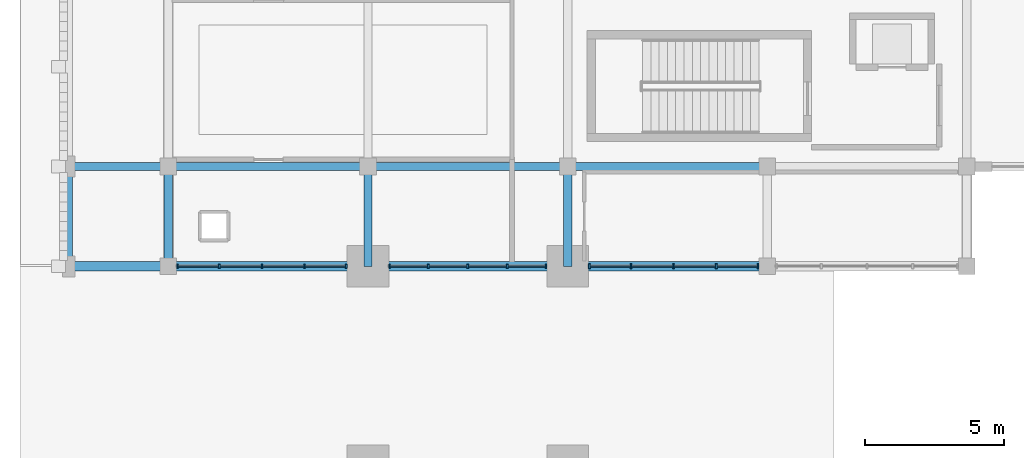
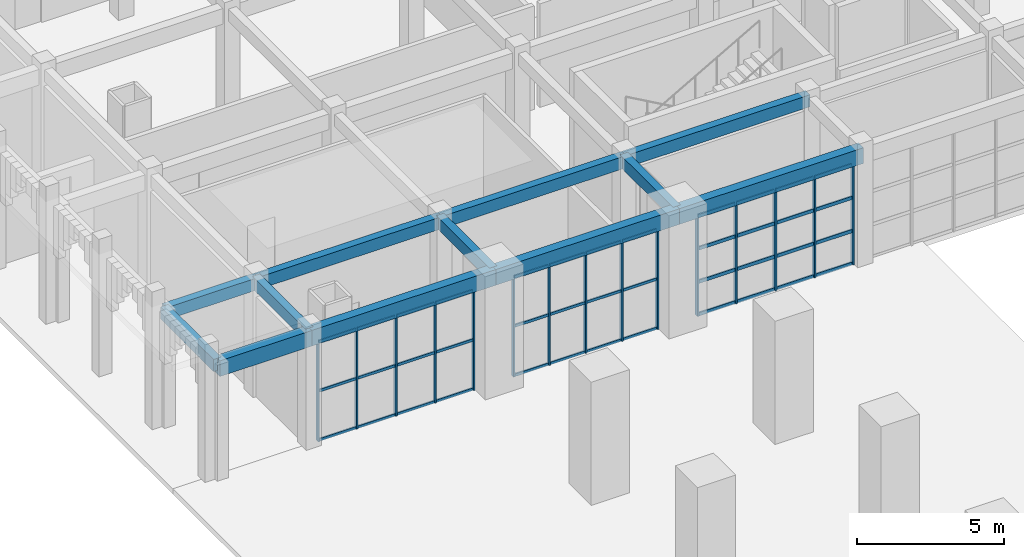
# One storey, part 9 of 72: 55 members, 12 beams, 3 elements without a shape of their own.
"""IFC4 building model written with IfcOpenShell, lengths in metres."""

from ifc_helpers import new_model, si_unit, direction, frame, origin, origin_2d, place, context, subcontext, project, spatial, rectangle, extrude, material, material_profile, profile_set, type_object, element, aggregate, save


model = new_model("IFC4")

# Units and contexts
model_context = context("Model", 3, precision=1e-05, world=origin(), true_north=direction((0.0, 1.0)))
body_context = subcontext(model_context, "Body", "Model", "MODEL_VIEW")
ifc_project = project(units=[si_unit("LENGTHUNIT", "METRE"), si_unit("AREAUNIT", "SQUARE_METRE"), si_unit("VOLUMEUNIT", "CUBIC_METRE"), si_unit("PLANEANGLEUNIT", "RADIAN"), si_unit("MASSUNIT", "GRAM", prefix="KILO")], contexts=[model_context])

# Site, building, storey
site_placement = place(None, origin())
site = spatial("IfcSite", under=ifc_project, at=site_placement, CompositionType="ELEMENT")
building_placement = place(site_placement, origin())
building = spatial("IfcBuilding", under=site, at=building_placement, Name="Nzembalo Square Collegiate School", CompositionType="ELEMENT")
storey_placement = place(building_placement, origin())
storey = spatial("IfcBuildingStorey", under=building, at=storey_placement, Name="L00", CompositionType="ELEMENT", Elevation=0.0)

# Beams
ifc_material_1 = material(Name="Concrete C35/45", Category="concrete")
ifc_material_profile_1 = material_profile(ifc_material_1, rectangle(XDim=0.35009765625, YDim=0.64990234375, at=origin_2d()), Name="RC 350x650")
ifc_profile_set_1 = profile_set([ifc_material_profile_1], Name="Concrete C35/45")
beam_type_1 = type_object("IfcBeamType", Name="B01", PredefinedType="BEAM", material=ifc_profile_set_1)
beam_1_placement = place(storey_placement, frame((4.800048828125, 79.199951171875, 4.465087890625), z_axis=(1.0, 0.0, 0.0), x_axis=(0.0, 1.0, 0.0)))
element("IfcBeam", 1, at=beam_1_placement, inside=storey, type_object=beam_type_1, Name="Beam B01 L00", PredefinedType="BEAM", context=body_context, shape_type="SweptSolid", body=[
    extrude(rectangle(XDim=0.35009765625, YDim=0.64990234375, at=origin_2d()), origin(), (0.0, 0.0, 1.0), 3.599853515625),
])
beam_2_placement = place(storey_placement, frame((8.39990234375, 79.199951171875, 4.465087890625), z_axis=(1.0, 0.0, 0.0), x_axis=(0.0, 1.0, 0.0)))
element("IfcBeam", 2, at=beam_2_placement, inside=storey, type_object=beam_type_1, Name="Beam B01 L00", PredefinedType="BEAM", context=body_context, shape_type="SweptSolid", body=[
    extrude(rectangle(XDim=0.35009765625, YDim=0.64990234375, at=origin_2d()), origin(), (0.0, 0.0, 1.0), 7.2001953125),
])
for number, where, z_axis, x_axis, name in (
    (3, (15.60009765625, 79.199951171875, 4.465087890625), (1.0, 0.0, 0.0), (0.0, 1.0, 0.0), "Beam B01 L00"),
    (4, (22.800048828125, 79.199951171875, 4.465087890625), (1.0, 0.0, 0.0), (0.0, 1.0, 0.0), "Beam B01 L00"),
):
    element("IfcBeam", number, at=place(storey_placement, frame(where, z_axis=z_axis, x_axis=x_axis)), inside=storey, type_object=beam_type_1, Name=name, PredefinedType="BEAM", context=body_context, shape_type="SweptSolid", body=[
        extrude(rectangle(XDim=0.35009765625, YDim=0.64990234375, at=origin_2d()), origin(), (0.0, 0.0, 1.0), 7.199951171875),
    ])
ifc_material_2 = material(Name="Concrete C35/45", Category="concrete")
ifc_material_profile_2 = material_profile(ifc_material_2, rectangle(XDim=0.300048828125, YDim=0.5, at=origin_2d()), Name="RC 300x500")
ifc_profile_set_2 = profile_set([ifc_material_profile_2], Name="Concrete C35/45")
beam_type_2 = type_object("IfcBeamType", Name="B02", PredefinedType="BEAM", material=ifc_profile_set_2)
for number, where, z_axis, x_axis, name in (
    (5, (15.60009765625, 79.199951171875, 4.5400390625), (0.0, 1.0, 0.0), (-1.0, 0.0, 0.0), "Beam B02 L00"),
    (6, (22.800048828125, 79.199951171875, 4.5400390625), (0.0, 1.0, 0.0), (-1.0, 0.0, 0.0), "Beam B02 L00"),
):
    element("IfcBeam", number, at=place(storey_placement, frame(where, z_axis=z_axis, x_axis=x_axis)), inside=storey, type_object=beam_type_2, Name=name, PredefinedType="BEAM", context=body_context, shape_type="SweptSolid", body=[
        extrude(rectangle(XDim=0.300048828125, YDim=0.5, at=origin_2d()), origin(), (0.0, 0.0, 1.0), 3.60009765625),
    ])
ifc_material_3 = material(Name="Concrete C35/45", Category="concrete")
ifc_material_profile_3 = material_profile(ifc_material_3, rectangle(XDim=0.300048828125, YDim=0.5, at=origin_2d()), Name="RC 300x500")
ifc_profile_set_3 = profile_set([ifc_material_profile_3], Name="Concrete C35/45")
beam_type_3 = type_object("IfcBeamType", Name="SP01", PredefinedType="SPANDREL", material=ifc_profile_set_3)
beam_3_placement = place(storey_placement, frame((4.800048828125, 82.800048828125, 4.5400390625), z_axis=(1.0, 0.0, 0.0), x_axis=(0.0, 1.0, 0.0)))
element("IfcBeam", 7, at=beam_3_placement, inside=storey, type_object=beam_type_3, Name="Beam SP01 L00", PredefinedType="SPANDREL", context=body_context, shape_type="SweptSolid", body=[
    extrude(rectangle(XDim=0.300048828125, YDim=0.5, at=origin_2d()), origin(), (0.0, 0.0, 1.0), 3.599853515625),
])
beam_4_placement = place(storey_placement, frame((8.39990234375, 82.800048828125, 4.5400390625), z_axis=(1.0, 0.0, 0.0), x_axis=(0.0, 1.0, 0.0)))
element("IfcBeam", 8, at=beam_4_placement, inside=storey, type_object=beam_type_3, Name="Beam SP01 L00", PredefinedType="SPANDREL", context=body_context, shape_type="SweptSolid", body=[
    extrude(rectangle(XDim=0.300048828125, YDim=0.5, at=origin_2d()), origin(), (0.0, 0.0, 1.0), 7.2001953125),
])
for number, where, z_axis, x_axis, name in (
    (9, (15.60009765625, 82.800048828125, 4.5400390625), (1.0, 0.0, 0.0), (0.0, 1.0, 0.0), "Beam SP01 L00"),
    (10, (22.800048828125, 82.800048828125, 4.5400390625), (1.0, 0.0, 0.0), (0.0, 1.0, 0.0), "Beam SP01 L00"),
):
    element("IfcBeam", number, at=place(storey_placement, frame(where, z_axis=z_axis, x_axis=x_axis)), inside=storey, type_object=beam_type_3, Name=name, PredefinedType="SPANDREL", context=body_context, shape_type="SweptSolid", body=[
        extrude(rectangle(XDim=0.300048828125, YDim=0.5, at=origin_2d()), origin(), (0.0, 0.0, 1.0), 7.199951171875),
    ])
for number, where, z_axis, x_axis, name in (
    (11, (4.800048828125, 79.199951171875, 4.5400390625), (0.0, 1.0, 0.0), (-1.0, 0.0, 0.0), "Beam SP01 L00"),
    (12, (8.39990234375, 79.199951171875, 4.5400390625), (0.0, 1.0, 0.0), (-1.0, 0.0, 0.0), "Beam SP01 L00"),
):
    element("IfcBeam", number, at=place(storey_placement, frame(where, z_axis=z_axis, x_axis=x_axis)), inside=storey, type_object=beam_type_3, Name=name, PredefinedType="SPANDREL", context=body_context, shape_type="SweptSolid", body=[
        extrude(rectangle(XDim=0.300048828125, YDim=0.5, at=origin_2d()), origin(), (0.0, 0.0, 1.0), 3.60009765625),
    ])

# Curtain wall, members
ifc_material_4 = material(Name="Aluminium 6060-T66", Category="aluminium")
curtain_wall_type_1 = type_object("IfcCurtainWallType", Name="CW-05", PredefinedType="USERDEFINED", material=ifc_material_4)
curtain_wall_1_placement = place(storey_placement, origin())
curtain_wall_1 = element("IfcCurtainWall", 13, at=curtain_wall_1_placement, inside=storey, type_object=curtain_wall_type_1, Name="Curtain wall CW-05 cw:L00:020", ObjectType="LANCET", PredefinedType="USERDEFINED")
ifc_material_5 = material(Name="Aluminium 6060-T66", Category="aluminium")
ifc_material_profile_4 = material_profile(ifc_material_5, rectangle(XDim=0.06005859375, YDim=0.179931640625, at=origin_2d()), Name="ALU M60x180")
ifc_profile_set_4 = profile_set([ifc_material_profile_4], Name="Aluminium 6060-T66")
member_type_1 = type_object("IfcMemberType", Name="ML01", PredefinedType="MULLION", material=ifc_profile_set_4)
member_1_placement = place(storey_placement, frame((23.58203125, 79.199951171875, 0.0), z_axis=(0.0, 0.0, 1.0), x_axis=(1.0, 0.0, 0.0)))
member_1 = element("IfcMember", 14, at=member_1_placement, type_object=member_type_1, Name="ML01 mullion 1", PredefinedType="MULLION", context=body_context, shape_type="SweptSolid", body=[
    extrude(rectangle(XDim=0.06005859375, YDim=0.179931640625, at=origin_2d()), origin(), (0.0, 0.0, 1.0), 4.134033203125),
])
member_2_placement = place(storey_placement, frame((25.08837890625, 79.199951171875, 0.0), z_axis=(0.0, 0.0, 1.0), x_axis=(1.0, 0.0, 0.0)))
member_2 = element("IfcMember", 15, at=member_2_placement, type_object=member_type_1, Name="ML01 mullion 2", PredefinedType="MULLION", context=body_context, shape_type="SweptSolid", body=[
    extrude(rectangle(XDim=0.06005859375, YDim=0.179931640625, at=origin_2d()), origin(), (0.0, 0.0, 1.0), 4.134033203125),
])
member_3_placement = place(storey_placement, frame((26.625, 79.199951171875, 0.0), z_axis=(0.0, 0.0, 1.0), x_axis=(1.0, 0.0, 0.0)))
member_3 = element("IfcMember", 16, at=member_3_placement, type_object=member_type_1, Name="ML01 mullion 3", PredefinedType="MULLION", context=body_context, shape_type="SweptSolid", body=[
    extrude(rectangle(XDim=0.06005859375, YDim=0.179931640625, at=origin_2d()), origin(), (0.0, 0.0, 1.0), 4.134033203125),
])
member_4_placement = place(storey_placement, frame((28.16162109375, 79.199951171875, 0.0), z_axis=(0.0, 0.0, 1.0), x_axis=(1.0, 0.0, 0.0)))
member_4 = element("IfcMember", 17, at=member_4_placement, type_object=member_type_1, Name="ML01 mullion 4", PredefinedType="MULLION", context=body_context, shape_type="SweptSolid", body=[
    extrude(rectangle(XDim=0.06005859375, YDim=0.179931640625, at=origin_2d()), origin(), (0.0, 0.0, 1.0), 4.134033203125),
])
member_5_placement = place(storey_placement, frame((29.66796875, 79.199951171875, 0.0), z_axis=(0.0, 0.0, 1.0), x_axis=(1.0, 0.0, 0.0)))
member_5 = element("IfcMember", 18, at=member_5_placement, type_object=member_type_1, Name="ML01 mullion 5", PredefinedType="MULLION", context=body_context, shape_type="SweptSolid", body=[
    extrude(rectangle(XDim=0.06005859375, YDim=0.179931640625, at=origin_2d()), origin(), (0.0, 0.0, 1.0), 4.134033203125),
])

ifc_material_6 = material(Name="Aluminium 6060-T66", Category="aluminium")
curtain_wall_type_2 = type_object("IfcCurtainWallType", Name="CW-03", PredefinedType="USERDEFINED", material=ifc_material_6)
curtain_wall_2_placement = place(storey_placement, origin())
curtain_wall_2 = element("IfcCurtainWall", 19, at=curtain_wall_2_placement, inside=storey, type_object=curtain_wall_type_2, Name="Curtain wall CW-03 cw:L00:018", ObjectType="UNITISED", PredefinedType="USERDEFINED")
ifc_material_7 = material(Name="Aluminium 6060-T66", Category="aluminium")
ifc_material_profile_5 = material_profile(ifc_material_7, rectangle(XDim=0.06005859375, YDim=0.14990234375, at=origin_2d()), Name="ALU M60x150")
ifc_profile_set_5 = profile_set([ifc_material_profile_5], Name="Aluminium 6060-T66")
member_type_2 = type_object("IfcMemberType", Name="ML02", PredefinedType="MULLION", material=ifc_profile_set_5)
member_6_placement = place(storey_placement, frame((8.73193359375, 79.199951171875, 0.0), z_axis=(0.0, 0.0, 1.0), x_axis=(1.0, 0.0, 0.0)))
member_6 = element("IfcMember", 20, at=member_6_placement, type_object=member_type_2, Name="ML02 mullion 1", PredefinedType="MULLION", context=body_context, shape_type="SweptSolid", body=[
    extrude(rectangle(XDim=0.06005859375, YDim=0.14990234375, at=origin_2d()), origin(), (0.0, 0.0, 1.0), 4.134033203125),
])
member_7_placement = place(storey_placement, frame((10.238525390625, 79.199951171875, 0.0), z_axis=(0.0, 0.0, 1.0), x_axis=(1.0, 0.0, 0.0)))
member_7 = element("IfcMember", 21, at=member_7_placement, type_object=member_type_2, Name="ML02 mullion 2", PredefinedType="MULLION", context=body_context, shape_type="SweptSolid", body=[
    extrude(rectangle(XDim=0.06005859375, YDim=0.14990234375, at=origin_2d()), origin(), (0.0, 0.0, 1.0), 4.134033203125),
])
member_8_placement = place(storey_placement, frame((11.77490234375, 79.199951171875, 0.0), z_axis=(0.0, 0.0, 1.0), x_axis=(1.0, 0.0, 0.0)))
member_8 = element("IfcMember", 22, at=member_8_placement, type_object=member_type_2, Name="ML02 mullion 3", PredefinedType="MULLION", context=body_context, shape_type="SweptSolid", body=[
    extrude(rectangle(XDim=0.06005859375, YDim=0.14990234375, at=origin_2d()), origin(), (0.0, 0.0, 1.0), 4.134033203125),
])
member_9_placement = place(storey_placement, frame((13.3115234375, 79.199951171875, 0.0), z_axis=(0.0, 0.0, 1.0), x_axis=(1.0, 0.0, 0.0)))
member_9 = element("IfcMember", 23, at=member_9_placement, type_object=member_type_2, Name="ML02 mullion 4", PredefinedType="MULLION", context=body_context, shape_type="SweptSolid", body=[
    extrude(rectangle(XDim=0.06005859375, YDim=0.14990234375, at=origin_2d()), origin(), (0.0, 0.0, 1.0), 4.134033203125),
])
member_10_placement = place(storey_placement, frame((14.818115234375, 79.199951171875, 0.0), z_axis=(0.0, 0.0, 1.0), x_axis=(1.0, 0.0, 0.0)))
member_10 = element("IfcMember", 24, at=member_10_placement, type_object=member_type_2, Name="ML02 mullion 5", PredefinedType="MULLION", context=body_context, shape_type="SweptSolid", body=[
    extrude(rectangle(XDim=0.06005859375, YDim=0.14990234375, at=origin_2d()), origin(), (0.0, 0.0, 1.0), 4.134033203125),
])

ifc_material_8 = material(Name="Aluminium 6060-T66", Category="aluminium")
curtain_wall_type_3 = type_object("IfcCurtainWallType", Name="CW-04", PredefinedType="USERDEFINED", material=ifc_material_8)
curtain_wall_3_placement = place(storey_placement, origin())
curtain_wall_3 = element("IfcCurtainWall", 25, at=curtain_wall_3_placement, inside=storey, type_object=curtain_wall_type_3, Name="Curtain wall CW-04 cw:L00:019", ObjectType="UNITISED", PredefinedType="USERDEFINED")
member_11_placement = place(storey_placement, frame((16.382080078125, 79.199951171875, 0.0), z_axis=(0.0, 0.0, 1.0), x_axis=(1.0, 0.0, 0.0)))
member_11 = element("IfcMember", 26, at=member_11_placement, type_object=member_type_2, Name="ML02 mullion 1", PredefinedType="MULLION", context=body_context, shape_type="SweptSolid", body=[
    extrude(rectangle(XDim=0.06005859375, YDim=0.14990234375, at=origin_2d()), origin(), (0.0, 0.0, 1.0), 4.134033203125),
])
member_12_placement = place(storey_placement, frame((17.77587890625, 79.199951171875, 0.0), z_axis=(0.0, 0.0, 1.0), x_axis=(1.0, 0.0, 0.0)))
member_12 = element("IfcMember", 27, at=member_12_placement, type_object=member_type_2, Name="ML02 mullion 2", PredefinedType="MULLION", context=body_context, shape_type="SweptSolid", body=[
    extrude(rectangle(XDim=0.06005859375, YDim=0.14990234375, at=origin_2d()), origin(), (0.0, 0.0, 1.0), 4.134033203125),
])
member_13_placement = place(storey_placement, frame((19.199951171875, 79.199951171875, 0.0), z_axis=(0.0, 0.0, 1.0), x_axis=(1.0, 0.0, 0.0)))
member_13 = element("IfcMember", 28, at=member_13_placement, type_object=member_type_2, Name="ML02 mullion 3", PredefinedType="MULLION", context=body_context, shape_type="SweptSolid", body=[
    extrude(rectangle(XDim=0.06005859375, YDim=0.14990234375, at=origin_2d()), origin(), (0.0, 0.0, 1.0), 4.134033203125),
])
member_14_placement = place(storey_placement, frame((20.6240234375, 79.199951171875, 0.0), z_axis=(0.0, 0.0, 1.0), x_axis=(1.0, 0.0, 0.0)))
member_14 = element("IfcMember", 29, at=member_14_placement, type_object=member_type_2, Name="ML02 mullion 4", PredefinedType="MULLION", context=body_context, shape_type="SweptSolid", body=[
    extrude(rectangle(XDim=0.06005859375, YDim=0.14990234375, at=origin_2d()), origin(), (0.0, 0.0, 1.0), 4.134033203125),
])
member_15_placement = place(storey_placement, frame((22.01806640625, 79.199951171875, 0.0), z_axis=(0.0, 0.0, 1.0), x_axis=(1.0, 0.0, 0.0)))
member_15 = element("IfcMember", 30, at=member_15_placement, type_object=member_type_2, Name="ML02 mullion 5", PredefinedType="MULLION", context=body_context, shape_type="SweptSolid", body=[
    extrude(rectangle(XDim=0.06005859375, YDim=0.14990234375, at=origin_2d()), origin(), (0.0, 0.0, 1.0), 4.134033203125),
])

# Member
ifc_material_9 = material(Name="Aluminium 6060-T66", Category="aluminium")
ifc_material_profile_6 = material_profile(ifc_material_9, rectangle(XDim=0.06005859375, YDim=0.139892578125, at=origin_2d()), Name="ALU T60x140")
ifc_profile_set_6 = profile_set([ifc_material_profile_6], Name="Aluminium 6060-T66")
member_type_3 = type_object("IfcMemberType", Name="TR01", PredefinedType="USERDEFINED", material=ifc_profile_set_6)
member_16_placement = place(storey_placement, frame((23.612060546875, 79.199951171875, 0.030029296875), z_axis=(1.0, 0.0, 0.0), x_axis=(0.0, 1.0, 0.0)))
member_16 = element("IfcMember", 31, at=member_16_placement, type_object=member_type_3, Name="TR01 transom 1-1", ObjectType="TRANSOM", PredefinedType="USERDEFINED", context=body_context, shape_type="SweptSolid", body=[
    extrude(rectangle(XDim=0.06005859375, YDim=0.139892578125, at=origin_2d()), origin(), (0.0, 0.0, 1.0), 1.446533203125),
])

member_17_placement = place(storey_placement, frame((25.118408203125, 79.199951171875, 0.030029296875), z_axis=(1.0, 0.0, 0.0), x_axis=(0.0, 1.0, 0.0)))
member_17 = element("IfcMember", 32, at=member_17_placement, type_object=member_type_3, Name="TR01 transom 1-2", ObjectType="TRANSOM", PredefinedType="USERDEFINED", context=body_context, shape_type="SweptSolid", body=[
    extrude(rectangle(XDim=0.06005859375, YDim=0.139892578125, at=origin_2d()), origin(), (0.0, 0.0, 1.0), 1.4765625),
])

member_18_placement = place(storey_placement, frame((26.655029296875, 79.199951171875, 0.030029296875), z_axis=(1.0, 0.0, 0.0), x_axis=(0.0, 1.0, 0.0)))
member_18 = element("IfcMember", 33, at=member_18_placement, type_object=member_type_3, Name="TR01 transom 1-3", ObjectType="TRANSOM", PredefinedType="USERDEFINED", context=body_context, shape_type="SweptSolid", body=[
    extrude(rectangle(XDim=0.06005859375, YDim=0.139892578125, at=origin_2d()), origin(), (0.0, 0.0, 1.0), 1.4765625),
])

member_19_placement = place(storey_placement, frame((28.19140625, 79.199951171875, 0.030029296875), z_axis=(1.0, 0.0, 0.0), x_axis=(0.0, 1.0, 0.0)))
member_19 = element("IfcMember", 34, at=member_19_placement, type_object=member_type_3, Name="TR01 transom 1-4", ObjectType="TRANSOM", PredefinedType="USERDEFINED", context=body_context, shape_type="SweptSolid", body=[
    extrude(rectangle(XDim=0.06005859375, YDim=0.139892578125, at=origin_2d()), origin(), (0.0, 0.0, 1.0), 1.446533203125),
])

member_20_placement = place(storey_placement, frame((23.612060546875, 79.199951171875, 1.3779296875), z_axis=(1.0, 0.0, 0.0), x_axis=(0.0, 1.0, 0.0)))
member_20 = element("IfcMember", 35, at=member_20_placement, type_object=member_type_3, Name="TR01 transom 2-1", ObjectType="TRANSOM", PredefinedType="USERDEFINED", context=body_context, shape_type="SweptSolid", body=[
    extrude(rectangle(XDim=0.06005859375, YDim=0.139892578125, at=origin_2d()), origin(), (0.0, 0.0, 1.0), 1.446533203125),
])

member_21_placement = place(storey_placement, frame((25.118408203125, 79.199951171875, 1.3779296875), z_axis=(1.0, 0.0, 0.0), x_axis=(0.0, 1.0, 0.0)))
member_21 = element("IfcMember", 36, at=member_21_placement, type_object=member_type_3, Name="TR01 transom 2-2", ObjectType="TRANSOM", PredefinedType="USERDEFINED", context=body_context, shape_type="SweptSolid", body=[
    extrude(rectangle(XDim=0.06005859375, YDim=0.139892578125, at=origin_2d()), origin(), (0.0, 0.0, 1.0), 1.4765625),
])

member_22_placement = place(storey_placement, frame((26.655029296875, 79.199951171875, 1.3779296875), z_axis=(1.0, 0.0, 0.0), x_axis=(0.0, 1.0, 0.0)))
member_22 = element("IfcMember", 37, at=member_22_placement, type_object=member_type_3, Name="TR01 transom 2-3", ObjectType="TRANSOM", PredefinedType="USERDEFINED", context=body_context, shape_type="SweptSolid", body=[
    extrude(rectangle(XDim=0.06005859375, YDim=0.139892578125, at=origin_2d()), origin(), (0.0, 0.0, 1.0), 1.4765625),
])

member_23_placement = place(storey_placement, frame((28.19140625, 79.199951171875, 1.3779296875), z_axis=(1.0, 0.0, 0.0), x_axis=(0.0, 1.0, 0.0)))
member_23 = element("IfcMember", 38, at=member_23_placement, type_object=member_type_3, Name="TR01 transom 2-4", ObjectType="TRANSOM", PredefinedType="USERDEFINED", context=body_context, shape_type="SweptSolid", body=[
    extrude(rectangle(XDim=0.06005859375, YDim=0.139892578125, at=origin_2d()), origin(), (0.0, 0.0, 1.0), 1.446533203125),
])

member_24_placement = place(storey_placement, frame((23.612060546875, 79.199951171875, 2.756103515625), z_axis=(1.0, 0.0, 0.0), x_axis=(0.0, 1.0, 0.0)))
member_24 = element("IfcMember", 39, at=member_24_placement, type_object=member_type_3, Name="TR01 transom 3-1", ObjectType="TRANSOM", PredefinedType="USERDEFINED", context=body_context, shape_type="SweptSolid", body=[
    extrude(rectangle(XDim=0.06005859375, YDim=0.139892578125, at=origin_2d()), origin(), (0.0, 0.0, 1.0), 1.446533203125),
])

member_25_placement = place(storey_placement, frame((25.118408203125, 79.199951171875, 2.756103515625), z_axis=(1.0, 0.0, 0.0), x_axis=(0.0, 1.0, 0.0)))
member_25 = element("IfcMember", 40, at=member_25_placement, type_object=member_type_3, Name="TR01 transom 3-2", ObjectType="TRANSOM", PredefinedType="USERDEFINED", context=body_context, shape_type="SweptSolid", body=[
    extrude(rectangle(XDim=0.06005859375, YDim=0.139892578125, at=origin_2d()), origin(), (0.0, 0.0, 1.0), 1.4765625),
])

member_26_placement = place(storey_placement, frame((26.655029296875, 79.199951171875, 2.756103515625), z_axis=(1.0, 0.0, 0.0), x_axis=(0.0, 1.0, 0.0)))
member_26 = element("IfcMember", 41, at=member_26_placement, type_object=member_type_3, Name="TR01 transom 3-3", ObjectType="TRANSOM", PredefinedType="USERDEFINED", context=body_context, shape_type="SweptSolid", body=[
    extrude(rectangle(XDim=0.06005859375, YDim=0.139892578125, at=origin_2d()), origin(), (0.0, 0.0, 1.0), 1.4765625),
])

member_27_placement = place(storey_placement, frame((28.19140625, 79.199951171875, 2.756103515625), z_axis=(1.0, 0.0, 0.0), x_axis=(0.0, 1.0, 0.0)))
member_27 = element("IfcMember", 42, at=member_27_placement, type_object=member_type_3, Name="TR01 transom 3-4", ObjectType="TRANSOM", PredefinedType="USERDEFINED", context=body_context, shape_type="SweptSolid", body=[
    extrude(rectangle(XDim=0.06005859375, YDim=0.139892578125, at=origin_2d()), origin(), (0.0, 0.0, 1.0), 1.446533203125),
])

member_28_placement = place(storey_placement, frame((23.612060546875, 79.199951171875, 4.10400390625), z_axis=(1.0, 0.0, 0.0), x_axis=(0.0, 1.0, 0.0)))
member_28 = element("IfcMember", 43, at=member_28_placement, type_object=member_type_3, Name="TR01 transom 4-1", ObjectType="TRANSOM", PredefinedType="USERDEFINED", context=body_context, shape_type="SweptSolid", body=[
    extrude(rectangle(XDim=0.06005859375, YDim=0.139892578125, at=origin_2d()), origin(), (0.0, 0.0, 1.0), 1.446533203125),
])

member_29_placement = place(storey_placement, frame((25.118408203125, 79.199951171875, 4.10400390625), z_axis=(1.0, 0.0, 0.0), x_axis=(0.0, 1.0, 0.0)))
member_29 = element("IfcMember", 44, at=member_29_placement, type_object=member_type_3, Name="TR01 transom 4-2", ObjectType="TRANSOM", PredefinedType="USERDEFINED", context=body_context, shape_type="SweptSolid", body=[
    extrude(rectangle(XDim=0.06005859375, YDim=0.139892578125, at=origin_2d()), origin(), (0.0, 0.0, 1.0), 1.4765625),
])

member_30_placement = place(storey_placement, frame((26.655029296875, 79.199951171875, 4.10400390625), z_axis=(1.0, 0.0, 0.0), x_axis=(0.0, 1.0, 0.0)))
member_30 = element("IfcMember", 45, at=member_30_placement, type_object=member_type_3, Name="TR01 transom 4-3", ObjectType="TRANSOM", PredefinedType="USERDEFINED", context=body_context, shape_type="SweptSolid", body=[
    extrude(rectangle(XDim=0.06005859375, YDim=0.139892578125, at=origin_2d()), origin(), (0.0, 0.0, 1.0), 1.4765625),
])

member_31_placement = place(storey_placement, frame((28.19140625, 79.199951171875, 4.10400390625), z_axis=(1.0, 0.0, 0.0), x_axis=(0.0, 1.0, 0.0)))
member_31 = element("IfcMember", 46, at=member_31_placement, type_object=member_type_3, Name="TR01 transom 4-4", ObjectType="TRANSOM", PredefinedType="USERDEFINED", context=body_context, shape_type="SweptSolid", body=[
    extrude(rectangle(XDim=0.06005859375, YDim=0.139892578125, at=origin_2d()), origin(), (0.0, 0.0, 1.0), 1.446533203125),
])

aggregate(curtain_wall_1, [member_1, member_2, member_3, member_4, member_5, member_16, member_17, member_18, member_19, member_20, member_21, member_22, member_23, member_24, member_25, member_26, member_27, member_28, member_29, member_30, member_31])

ifc_material_10 = material(Name="Aluminium 6060-T66", Category="aluminium")
ifc_material_profile_7 = material_profile(ifc_material_10, rectangle(XDim=0.06005859375, YDim=0.110107421875, at=origin_2d()), Name="ALU T60x110")
ifc_profile_set_7 = profile_set([ifc_material_profile_7], Name="Aluminium 6060-T66")
member_type_4 = type_object("IfcMemberType", Name="TR02", PredefinedType="USERDEFINED", material=ifc_profile_set_7)
member_32_placement = place(storey_placement, frame((8.761962890625, 79.199951171875, 0.030029296875), z_axis=(1.0, 0.0, 0.0), x_axis=(0.0, 1.0, 0.0)))
member_32 = element("IfcMember", 47, at=member_32_placement, type_object=member_type_4, Name="TR02 transom 1-1", ObjectType="TRANSOM", PredefinedType="USERDEFINED", context=body_context, shape_type="SweptSolid", body=[
    extrude(rectangle(XDim=0.06005859375, YDim=0.110107421875, at=origin_2d()), origin(), (0.0, 0.0, 1.0), 1.446533203125),
])

member_33_placement = place(storey_placement, frame((10.2685546875, 79.199951171875, 0.030029296875), z_axis=(1.0, 0.0, 0.0), x_axis=(0.0, 1.0, 0.0)))
member_33 = element("IfcMember", 48, at=member_33_placement, type_object=member_type_4, Name="TR02 transom 1-2", ObjectType="TRANSOM", PredefinedType="USERDEFINED", context=body_context, shape_type="SweptSolid", body=[
    extrude(rectangle(XDim=0.06005859375, YDim=0.110107421875, at=origin_2d()), origin(), (0.0, 0.0, 1.0), 1.4765625),
])

member_34_placement = place(storey_placement, frame((11.804931640625, 79.199951171875, 0.030029296875), z_axis=(1.0, 0.0, 0.0), x_axis=(0.0, 1.0, 0.0)))
member_34 = element("IfcMember", 49, at=member_34_placement, type_object=member_type_4, Name="TR02 transom 1-3", ObjectType="TRANSOM", PredefinedType="USERDEFINED", context=body_context, shape_type="SweptSolid", body=[
    extrude(rectangle(XDim=0.06005859375, YDim=0.110107421875, at=origin_2d()), origin(), (0.0, 0.0, 1.0), 1.4765625),
])

member_35_placement = place(storey_placement, frame((13.341552734375, 79.199951171875, 0.030029296875), z_axis=(1.0, 0.0, 0.0), x_axis=(0.0, 1.0, 0.0)))
member_35 = element("IfcMember", 50, at=member_35_placement, type_object=member_type_4, Name="TR02 transom 1-4", ObjectType="TRANSOM", PredefinedType="USERDEFINED", context=body_context, shape_type="SweptSolid", body=[
    extrude(rectangle(XDim=0.06005859375, YDim=0.110107421875, at=origin_2d()), origin(), (0.0, 0.0, 1.0), 1.446533203125),
])

member_36_placement = place(storey_placement, frame((8.761962890625, 79.199951171875, 2.06689453125), z_axis=(1.0, 0.0, 0.0), x_axis=(0.0, 1.0, 0.0)))
member_36 = element("IfcMember", 51, at=member_36_placement, type_object=member_type_4, Name="TR02 transom 2-1", ObjectType="TRANSOM", PredefinedType="USERDEFINED", context=body_context, shape_type="SweptSolid", body=[
    extrude(rectangle(XDim=0.06005859375, YDim=0.110107421875, at=origin_2d()), origin(), (0.0, 0.0, 1.0), 1.446533203125),
])

member_37_placement = place(storey_placement, frame((10.2685546875, 79.199951171875, 2.06689453125), z_axis=(1.0, 0.0, 0.0), x_axis=(0.0, 1.0, 0.0)))
member_37 = element("IfcMember", 52, at=member_37_placement, type_object=member_type_4, Name="TR02 transom 2-2", ObjectType="TRANSOM", PredefinedType="USERDEFINED", context=body_context, shape_type="SweptSolid", body=[
    extrude(rectangle(XDim=0.06005859375, YDim=0.110107421875, at=origin_2d()), origin(), (0.0, 0.0, 1.0), 1.4765625),
])

member_38_placement = place(storey_placement, frame((11.804931640625, 79.199951171875, 2.06689453125), z_axis=(1.0, 0.0, 0.0), x_axis=(0.0, 1.0, 0.0)))
member_38 = element("IfcMember", 53, at=member_38_placement, type_object=member_type_4, Name="TR02 transom 2-3", ObjectType="TRANSOM", PredefinedType="USERDEFINED", context=body_context, shape_type="SweptSolid", body=[
    extrude(rectangle(XDim=0.06005859375, YDim=0.110107421875, at=origin_2d()), origin(), (0.0, 0.0, 1.0), 1.4765625),
])

member_39_placement = place(storey_placement, frame((13.341552734375, 79.199951171875, 2.06689453125), z_axis=(1.0, 0.0, 0.0), x_axis=(0.0, 1.0, 0.0)))
member_39 = element("IfcMember", 54, at=member_39_placement, type_object=member_type_4, Name="TR02 transom 2-4", ObjectType="TRANSOM", PredefinedType="USERDEFINED", context=body_context, shape_type="SweptSolid", body=[
    extrude(rectangle(XDim=0.06005859375, YDim=0.110107421875, at=origin_2d()), origin(), (0.0, 0.0, 1.0), 1.446533203125),
])

member_40_placement = place(storey_placement, frame((8.761962890625, 79.199951171875, 4.10400390625), z_axis=(1.0, 0.0, 0.0), x_axis=(0.0, 1.0, 0.0)))
member_40 = element("IfcMember", 55, at=member_40_placement, type_object=member_type_4, Name="TR02 transom 3-1", ObjectType="TRANSOM", PredefinedType="USERDEFINED", context=body_context, shape_type="SweptSolid", body=[
    extrude(rectangle(XDim=0.06005859375, YDim=0.110107421875, at=origin_2d()), origin(), (0.0, 0.0, 1.0), 1.446533203125),
])

member_41_placement = place(storey_placement, frame((10.2685546875, 79.199951171875, 4.10400390625), z_axis=(1.0, 0.0, 0.0), x_axis=(0.0, 1.0, 0.0)))
member_41 = element("IfcMember", 56, at=member_41_placement, type_object=member_type_4, Name="TR02 transom 3-2", ObjectType="TRANSOM", PredefinedType="USERDEFINED", context=body_context, shape_type="SweptSolid", body=[
    extrude(rectangle(XDim=0.06005859375, YDim=0.110107421875, at=origin_2d()), origin(), (0.0, 0.0, 1.0), 1.4765625),
])

member_42_placement = place(storey_placement, frame((11.804931640625, 79.199951171875, 4.10400390625), z_axis=(1.0, 0.0, 0.0), x_axis=(0.0, 1.0, 0.0)))
member_42 = element("IfcMember", 57, at=member_42_placement, type_object=member_type_4, Name="TR02 transom 3-3", ObjectType="TRANSOM", PredefinedType="USERDEFINED", context=body_context, shape_type="SweptSolid", body=[
    extrude(rectangle(XDim=0.06005859375, YDim=0.110107421875, at=origin_2d()), origin(), (0.0, 0.0, 1.0), 1.4765625),
])

member_43_placement = place(storey_placement, frame((13.341552734375, 79.199951171875, 4.10400390625), z_axis=(1.0, 0.0, 0.0), x_axis=(0.0, 1.0, 0.0)))
member_43 = element("IfcMember", 58, at=member_43_placement, type_object=member_type_4, Name="TR02 transom 3-4", ObjectType="TRANSOM", PredefinedType="USERDEFINED", context=body_context, shape_type="SweptSolid", body=[
    extrude(rectangle(XDim=0.06005859375, YDim=0.110107421875, at=origin_2d()), origin(), (0.0, 0.0, 1.0), 1.446533203125),
])

aggregate(curtain_wall_2, [member_6, member_7, member_8, member_9, member_10, member_32, member_33, member_34, member_35, member_36, member_37, member_38, member_39, member_40, member_41, member_42, member_43])

member_44_placement = place(storey_placement, frame((16.412109375, 79.199951171875, 0.030029296875), z_axis=(1.0, 0.0, 0.0), x_axis=(0.0, 1.0, 0.0)))
member_44 = element("IfcMember", 59, at=member_44_placement, type_object=member_type_4, Name="TR02 transom 1-1", ObjectType="TRANSOM", PredefinedType="USERDEFINED", context=body_context, shape_type="SweptSolid", body=[
    extrude(rectangle(XDim=0.06005859375, YDim=0.110107421875, at=origin_2d()), origin(), (0.0, 0.0, 1.0), 1.333984375),
])

member_45_placement = place(storey_placement, frame((17.805908203125, 79.199951171875, 0.030029296875), z_axis=(1.0, 0.0, 0.0), x_axis=(0.0, 1.0, 0.0)))
member_45 = element("IfcMember", 60, at=member_45_placement, type_object=member_type_4, Name="TR02 transom 1-2", ObjectType="TRANSOM", PredefinedType="USERDEFINED", context=body_context, shape_type="SweptSolid", body=[
    extrude(rectangle(XDim=0.06005859375, YDim=0.110107421875, at=origin_2d()), origin(), (0.0, 0.0, 1.0), 1.364013671875),
])

member_46_placement = place(storey_placement, frame((19.22998046875, 79.199951171875, 0.030029296875), z_axis=(1.0, 0.0, 0.0), x_axis=(0.0, 1.0, 0.0)))
member_46 = element("IfcMember", 61, at=member_46_placement, type_object=member_type_4, Name="TR02 transom 1-3", ObjectType="TRANSOM", PredefinedType="USERDEFINED", context=body_context, shape_type="SweptSolid", body=[
    extrude(rectangle(XDim=0.06005859375, YDim=0.110107421875, at=origin_2d()), origin(), (0.0, 0.0, 1.0), 1.364013671875),
])

member_47_placement = place(storey_placement, frame((20.654052734375, 79.199951171875, 0.030029296875), z_axis=(1.0, 0.0, 0.0), x_axis=(0.0, 1.0, 0.0)))
member_47 = element("IfcMember", 62, at=member_47_placement, type_object=member_type_4, Name="TR02 transom 1-4", ObjectType="TRANSOM", PredefinedType="USERDEFINED", context=body_context, shape_type="SweptSolid", body=[
    extrude(rectangle(XDim=0.06005859375, YDim=0.110107421875, at=origin_2d()), origin(), (0.0, 0.0, 1.0), 1.333984375),
])

member_48_placement = place(storey_placement, frame((16.412109375, 79.199951171875, 2.06689453125), z_axis=(1.0, 0.0, 0.0), x_axis=(0.0, 1.0, 0.0)))
member_48 = element("IfcMember", 63, at=member_48_placement, type_object=member_type_4, Name="TR02 transom 2-1", ObjectType="TRANSOM", PredefinedType="USERDEFINED", context=body_context, shape_type="SweptSolid", body=[
    extrude(rectangle(XDim=0.06005859375, YDim=0.110107421875, at=origin_2d()), origin(), (0.0, 0.0, 1.0), 1.333984375),
])

member_49_placement = place(storey_placement, frame((17.805908203125, 79.199951171875, 2.06689453125), z_axis=(1.0, 0.0, 0.0), x_axis=(0.0, 1.0, 0.0)))
member_49 = element("IfcMember", 64, at=member_49_placement, type_object=member_type_4, Name="TR02 transom 2-2", ObjectType="TRANSOM", PredefinedType="USERDEFINED", context=body_context, shape_type="SweptSolid", body=[
    extrude(rectangle(XDim=0.06005859375, YDim=0.110107421875, at=origin_2d()), origin(), (0.0, 0.0, 1.0), 1.364013671875),
])

member_50_placement = place(storey_placement, frame((19.22998046875, 79.199951171875, 2.06689453125), z_axis=(1.0, 0.0, 0.0), x_axis=(0.0, 1.0, 0.0)))
member_50 = element("IfcMember", 65, at=member_50_placement, type_object=member_type_4, Name="TR02 transom 2-3", ObjectType="TRANSOM", PredefinedType="USERDEFINED", context=body_context, shape_type="SweptSolid", body=[
    extrude(rectangle(XDim=0.06005859375, YDim=0.110107421875, at=origin_2d()), origin(), (0.0, 0.0, 1.0), 1.364013671875),
])

member_51_placement = place(storey_placement, frame((20.654052734375, 79.199951171875, 2.06689453125), z_axis=(1.0, 0.0, 0.0), x_axis=(0.0, 1.0, 0.0)))
member_51 = element("IfcMember", 66, at=member_51_placement, type_object=member_type_4, Name="TR02 transom 2-4", ObjectType="TRANSOM", PredefinedType="USERDEFINED", context=body_context, shape_type="SweptSolid", body=[
    extrude(rectangle(XDim=0.06005859375, YDim=0.110107421875, at=origin_2d()), origin(), (0.0, 0.0, 1.0), 1.333984375),
])

member_52_placement = place(storey_placement, frame((16.412109375, 79.199951171875, 4.10400390625), z_axis=(1.0, 0.0, 0.0), x_axis=(0.0, 1.0, 0.0)))
member_52 = element("IfcMember", 67, at=member_52_placement, type_object=member_type_4, Name="TR02 transom 3-1", ObjectType="TRANSOM", PredefinedType="USERDEFINED", context=body_context, shape_type="SweptSolid", body=[
    extrude(rectangle(XDim=0.06005859375, YDim=0.110107421875, at=origin_2d()), origin(), (0.0, 0.0, 1.0), 1.333984375),
])

member_53_placement = place(storey_placement, frame((17.805908203125, 79.199951171875, 4.10400390625), z_axis=(1.0, 0.0, 0.0), x_axis=(0.0, 1.0, 0.0)))
member_53 = element("IfcMember", 68, at=member_53_placement, type_object=member_type_4, Name="TR02 transom 3-2", ObjectType="TRANSOM", PredefinedType="USERDEFINED", context=body_context, shape_type="SweptSolid", body=[
    extrude(rectangle(XDim=0.06005859375, YDim=0.110107421875, at=origin_2d()), origin(), (0.0, 0.0, 1.0), 1.364013671875),
])

member_54_placement = place(storey_placement, frame((19.22998046875, 79.199951171875, 4.10400390625), z_axis=(1.0, 0.0, 0.0), x_axis=(0.0, 1.0, 0.0)))
member_54 = element("IfcMember", 69, at=member_54_placement, type_object=member_type_4, Name="TR02 transom 3-3", ObjectType="TRANSOM", PredefinedType="USERDEFINED", context=body_context, shape_type="SweptSolid", body=[
    extrude(rectangle(XDim=0.06005859375, YDim=0.110107421875, at=origin_2d()), origin(), (0.0, 0.0, 1.0), 1.364013671875),
])

member_55_placement = place(storey_placement, frame((20.654052734375, 79.199951171875, 4.10400390625), z_axis=(1.0, 0.0, 0.0), x_axis=(0.0, 1.0, 0.0)))
member_55 = element("IfcMember", 70, at=member_55_placement, type_object=member_type_4, Name="TR02 transom 3-4", ObjectType="TRANSOM", PredefinedType="USERDEFINED", context=body_context, shape_type="SweptSolid", body=[
    extrude(rectangle(XDim=0.06005859375, YDim=0.110107421875, at=origin_2d()), origin(), (0.0, 0.0, 1.0), 1.333984375),
])

aggregate(curtain_wall_3, [member_11, member_12, member_13, member_14, member_15, member_44, member_45, member_46, member_47, member_48, member_49, member_50, member_51, member_52, member_53, member_54, member_55])

save(model, "model.ifc")
